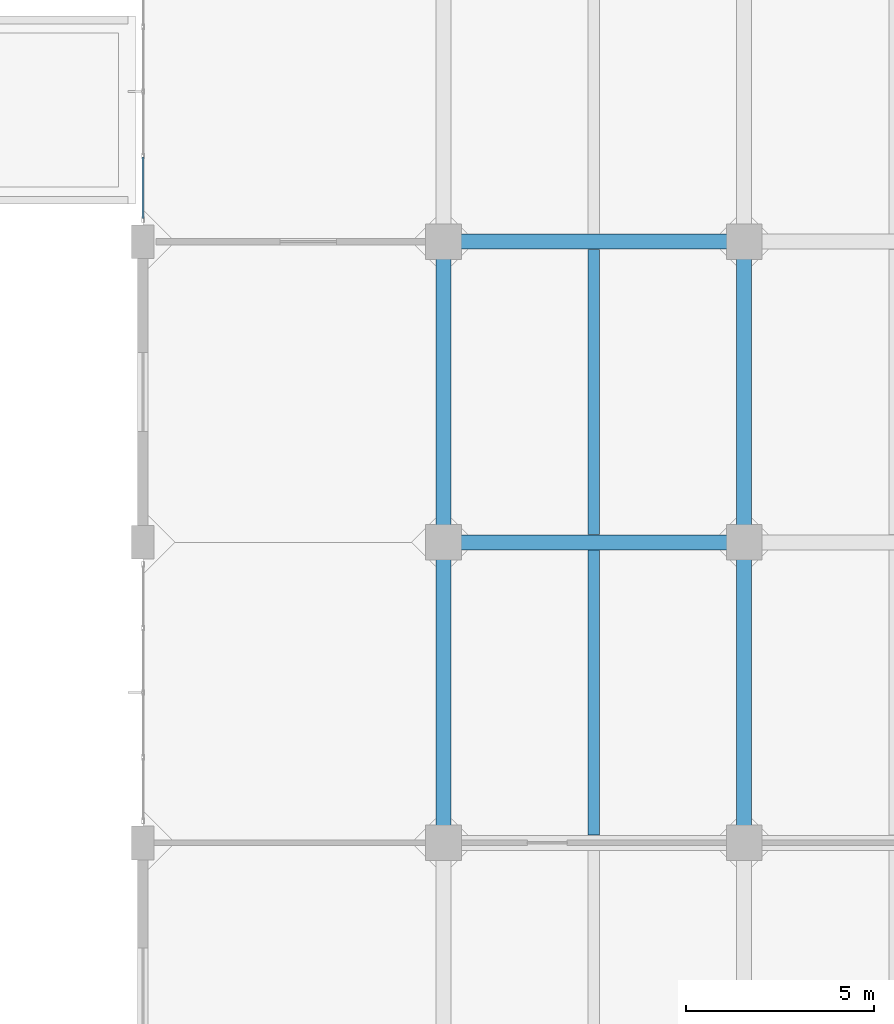
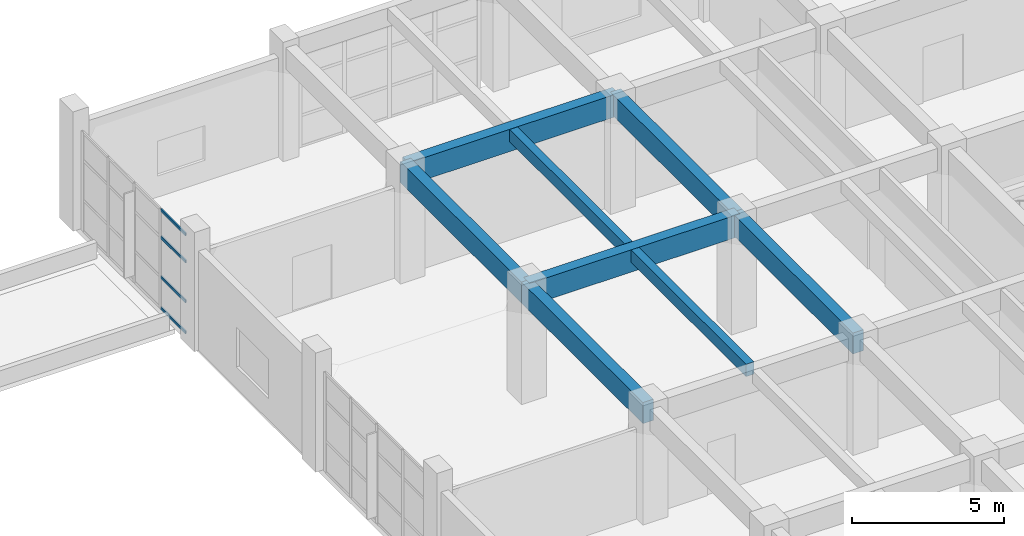
# One storey, part 20 of 63: 8 beams, 4 members, 1 element without a shape of its own.
"""IFC4 building model written with IfcOpenShell, lengths in metres."""

from ifc_helpers import new_model, si_unit, direction, frame, origin, origin_2d, place, context, subcontext, project, spatial, rectangle, hollow_rectangle, extrude, material, layer, layer_set, material_profile, profile_set, type_object, element, aggregate, save


model = new_model("IFC4")

# Units and contexts
model_context = context("Model", 3, precision=1e-05, world=origin(), true_north=direction((0.0, 1.0)))
body_context = subcontext(model_context, "Body", "Model", "MODEL_VIEW")
ifc_project = project(units=[si_unit("LENGTHUNIT", "METRE"), si_unit("AREAUNIT", "SQUARE_METRE"), si_unit("VOLUMEUNIT", "CUBIC_METRE"), si_unit("PLANEANGLEUNIT", "RADIAN"), si_unit("MASSUNIT", "GRAM", prefix="KILO")], contexts=[model_context])

# Site, building, storey
site_placement = place(None, origin())
site = spatial("IfcSite", under=ifc_project, at=site_placement, CompositionType="ELEMENT")
building_placement = place(site_placement, origin())
building = spatial("IfcBuilding", under=site, at=building_placement, Name="Canggui Botanical Conservatory", CompositionType="ELEMENT")
storey_placement = place(building_placement, frame((0.0, 0.0, 10.199951171875)))
storey = spatial("IfcBuildingStorey", under=building, at=storey_placement, Name="L03", CompositionType="ELEMENT", Elevation=10.199951171875)

# Beams
ifc_material_1 = material(Name="Concrete C35", Category="concrete")
ifc_material_profile_1 = material_profile(ifc_material_1, rectangle(XDim=0.300048828125, YDim=0.5, at=origin_2d()), Name="RB 300x500")
ifc_profile_set_1 = profile_set([ifc_material_profile_1], Name="Concrete C35")
beam_type_1 = type_object("IfcBeamType", Name="BM-JST02", PredefinedType="JOIST", material=ifc_profile_set_1)
for number, where, z_axis, x_axis, name in (
    (1, (142.0, 58.205078125, 4.300048828125), (0.0, 1.0, 0.0), (-1.0, 0.0, 0.0), "Secondary Floor Joist L03-1-5"),
    (2, (142.0, 66.205078125, 4.300048828125), (0.0, 1.0, 0.0), (-1.0, 0.0, 0.0), "Secondary Floor Joist L03-1-6"),
):
    element("IfcBeam", number, at=place(storey_placement, frame(where, z_axis=z_axis, x_axis=x_axis)), inside=storey, type_object=beam_type_1, Name=name, PredefinedType="JOIST", context=body_context, shape_type="SweptSolid", body=[
        extrude(rectangle(XDim=0.300048828125, YDim=0.5, at=origin_2d()), origin(), (0.0, 0.0, 1.0), 7.58984375),
    ])
ifc_material_profile_2 = material_profile(ifc_material_1, rectangle(XDim=0.39990234375, YDim=0.89990234375, at=origin_2d()), Name="RB 400x900")
ifc_profile_set_2 = profile_set([ifc_material_profile_2], Name="Concrete C35")
beam_type_2 = type_object("IfcBeamType", Name="BM-KL07", PredefinedType="BEAM", material=ifc_profile_set_2)
for number, where, z_axis, x_axis, name in (
    (3, (138.0, 66.0, 4.10009765625), (1.0, 0.0, 0.0), (0.0, 1.0, 0.0), "Frame Girder L03 Y66-1"),
    (4, (138.0, 74.0, 4.10009765625), (1.0, 0.0, 0.0), (0.0, 1.0, 0.0), "Frame Girder L03 Y74-1"),
):
    element("IfcBeam", number, at=place(storey_placement, frame(where, z_axis=z_axis, x_axis=x_axis)), inside=storey, type_object=beam_type_2, Name=name, PredefinedType="BEAM", context=body_context, shape_type="SweptSolid", body=[
        extrude(rectangle(XDim=0.39990234375, YDim=0.89990234375, at=origin_2d()), origin(), (0.0, 0.0, 1.0), 8.0),
    ])
ifc_material_profile_3 = material_profile(ifc_material_1, rectangle(XDim=0.39990234375, YDim=0.85009765625, at=origin_2d()), Name="RB 400x850")
ifc_profile_set_3 = profile_set([ifc_material_profile_3], Name="Concrete C35")
beam_type_3 = type_object("IfcBeamType", Name="BM-KL08", PredefinedType="BEAM", material=ifc_profile_set_3)
for number, where, z_axis, x_axis, name in (
    (5, (138.0, 58.0, 4.125), (0.0, 1.0, 0.0), (-1.0, 0.0, 0.0), "Frame Girder L03 X138-5"),
    (6, (138.0, 66.0, 4.125), (0.0, 1.0, 0.0), (-1.0, 0.0, 0.0), "Frame Girder L03 X138-6"),
    (7, (146.0, 58.0, 4.125), (0.0, 1.0, 0.0), (-1.0, 0.0, 0.0), "Frame Girder L03 X146-5"),
    (8, (146.0, 66.0, 4.125), (0.0, 1.0, 0.0), (-1.0, 0.0, 0.0), "Frame Girder L03 X146-6"),
):
    element("IfcBeam", number, at=place(storey_placement, frame(where, z_axis=z_axis, x_axis=x_axis)), inside=storey, type_object=beam_type_3, Name=name, PredefinedType="BEAM", context=body_context, shape_type="SweptSolid", body=[
        extrude(rectangle(XDim=0.39990234375, YDim=0.85009765625, at=origin_2d()), origin(), (0.0, 0.0, 1.0), 8.0),
    ])

# Curtain wall, members
ifc_material_2 = material(Name="Thermally Broken Aluminium", Category="aluminium")
ifc_layer = layer(ifc_material_2, 0.14990234375, Name="Thermally Broken Aluminium", Category="aluminium")
ifc_layer_set = layer_set([ifc_layer], Name="Thermally Broken Aluminium")
curtain_wall_type = type_object("IfcCurtainWallType", Name="CW-UNIT-C", PredefinedType="USERDEFINED", material=ifc_layer_set)
curtain_wall_placement = place(storey_placement, origin())
curtain_wall = element("IfcCurtainWall", 9, at=curtain_wall_placement, inside=storey, type_object=curtain_wall_type, Name="Facade Curtain Wall CW-TWR-L03-13", ObjectType="UNITISED CURTAIN WALL", PredefinedType="USERDEFINED")
ifc_material_profile_4 = material_profile(ifc_material_2, hollow_rectangle(XDim=0.054931640625, YDim=0.110107421875, WallThickness=0.0029296875, at=origin_2d()), Name="CWT 55x110x3")
ifc_profile_set_4 = profile_set([ifc_material_profile_4], Name="Thermally Broken Aluminium")
member_type = type_object("IfcMemberType", Name="CWT-03", PredefinedType="USERDEFINED", material=ifc_profile_set_4)
member_1_placement = place(storey_placement, frame((130.0, 74.6201171875, 0.027587890625), z_axis=(0.0, 1.0, 0.0), x_axis=(-1.0, 0.0, 0.0)))
member_1 = element("IfcMember", 10, at=member_1_placement, type_object=member_type, Name="CW-03 transom 1.1", ObjectType="TRANSOM", PredefinedType="USERDEFINED", context=body_context, shape_type="SweptSolid", body=[
    extrude(hollow_rectangle(XDim=0.054931640625, YDim=0.110107421875, WallThickness=0.0029296875, at=origin_2d()), origin(), (0.0, 0.0, 1.0), 1.6298828125),
])
member_2_placement = place(storey_placement, frame((130.0, 74.6201171875, 1.280029296875), z_axis=(0.0, 1.0, 0.0), x_axis=(-1.0, 0.0, 0.0)))
member_2 = element("IfcMember", 11, at=member_2_placement, type_object=member_type, Name="CW-03 transom 1.2", ObjectType="TRANSOM", PredefinedType="USERDEFINED", context=body_context, shape_type="SweptSolid", body=[
    extrude(hollow_rectangle(XDim=0.054931640625, YDim=0.110107421875, WallThickness=0.0029296875, at=origin_2d()), origin(), (0.0, 0.0, 1.0), 1.6298828125),
])
member_3_placement = place(storey_placement, frame((130.0, 74.6201171875, 2.880126953125), z_axis=(0.0, 1.0, 0.0), x_axis=(-1.0, 0.0, 0.0)))
member_3 = element("IfcMember", 12, at=member_3_placement, type_object=member_type, Name="CW-03 transom 1.3", ObjectType="TRANSOM", PredefinedType="USERDEFINED", context=body_context, shape_type="SweptSolid", body=[
    extrude(hollow_rectangle(XDim=0.054931640625, YDim=0.110107421875, WallThickness=0.0029296875, at=origin_2d()), origin(), (0.0, 0.0, 1.0), 1.6298828125),
])
member_4_placement = place(storey_placement, frame((130.0, 74.6201171875, 3.97265625), z_axis=(0.0, 1.0, 0.0), x_axis=(-1.0, 0.0, 0.0)))
member_4 = element("IfcMember", 13, at=member_4_placement, type_object=member_type, Name="CW-03 transom 1.4", ObjectType="TRANSOM", PredefinedType="USERDEFINED", context=body_context, shape_type="SweptSolid", body=[
    extrude(hollow_rectangle(XDim=0.054931640625, YDim=0.110107421875, WallThickness=0.0029296875, at=origin_2d()), origin(), (0.0, 0.0, 1.0), 1.6298828125),
])
aggregate(curtain_wall, [member_1, member_2, member_3, member_4])

save(model, "model.ifc")
